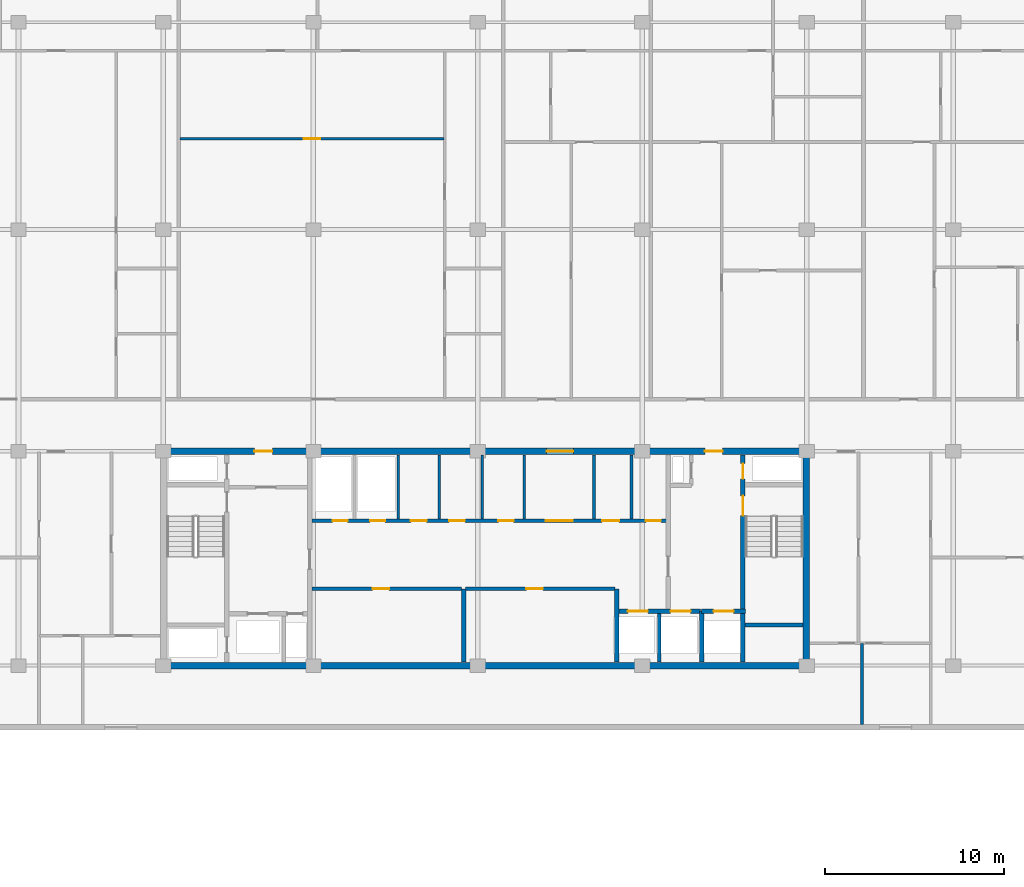
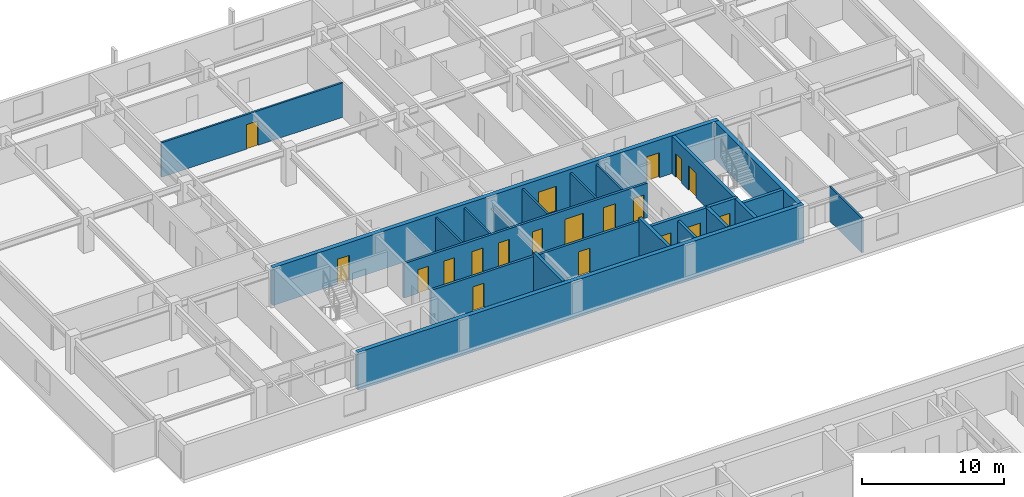
# One storey, part 12 of 22: 22 walls, 19 doors, 19 openings.
"""IFC4 building model written with IfcOpenShell, lengths in metres."""

from ifc_helpers import new_model, si_unit, direction, frame, frame_2d, origin, place, context, subcontext, project, spatial, rectangle, extrude, material, layer, layer_set, type_object, element, fill, save


model = new_model("IFC4")

# Units and contexts
model_context = context("Model", 3, precision=1e-05, world=origin(), true_north=direction((0.0, 1.0)))
body_context = subcontext(model_context, "Body", "Model", "MODEL_VIEW")
ifc_project = project(units=[si_unit("LENGTHUNIT", "METRE"), si_unit("AREAUNIT", "SQUARE_METRE"), si_unit("VOLUMEUNIT", "CUBIC_METRE"), si_unit("PLANEANGLEUNIT", "RADIAN"), si_unit("MASSUNIT", "GRAM", prefix="KILO")], contexts=[model_context])

# Site, building, storey
site_placement = place(None, origin())
site = spatial("IfcSite", under=ifc_project, at=site_placement, CompositionType="ELEMENT")
building_placement = place(site_placement, origin())
building = spatial("IfcBuilding", under=site, at=building_placement, Name="Korimba Cascade Residences", CompositionType="ELEMENT")
storey_placement = place(building_placement, frame((0.0, 0.0, 181.60009765625)))
storey = spatial("IfcBuildingStorey", under=building, at=storey_placement, Name="L52", CompositionType="ELEMENT", Elevation=181.60009765625)

# Walls
ifc_material_1 = material(Name="Concrete C65/80", Category="concrete")
ifc_layer_1 = layer(ifc_material_1, 0.35009765625)
ifc_layer_set_1 = layer_set([ifc_layer_1], Name="Concrete C65/80")
wall_type_1 = type_object("IfcWallType", Name="WAL-CORE-350", PredefinedType="SHEAR", material=ifc_layer_set_1)
wall_1_placement = place(storey_placement, frame((75.949951171875, 55.199951171875, 0.0), z_axis=(0.0, 0.0, 1.0), x_axis=(1.0, 0.0, 0.0)))
element("IfcWall", 1, at=wall_1_placement, inside=storey, type_object=wall_type_1, Name="L52 Core Shear Wall CW-L52-T1-S", PredefinedType="SHEAR", context=body_context, shape_type="SweptSolid", body=[
    extrude(rectangle(XDim=36.300048828125, YDim=0.35009765625, at=frame_2d((18.14990234375, 0.0))), origin(), (0.0, 0.0, 1.0), 3.25),
])
wall_2_placement = place(storey_placement, frame((112.074951171875, 55.375, 0.0), z_axis=(0.0, 0.0, 1.0), x_axis=(0.0, 1.0, 0.0)))
element("IfcWall", 2, at=wall_2_placement, inside=storey, type_object=wall_type_1, Name="L52 Core Shear Wall CW-L52-T1-E", PredefinedType="SHEAR", context=body_context, shape_type="SweptSolid", body=[
    extrude(rectangle(XDim=11.64990234375, YDim=0.35009765625, at=frame_2d((5.824951171875, 0.0))), origin(), (0.0, 0.0, 1.0), 3.25),
])

# Wall, openings, doors
wall_3_placement = place(storey_placement, frame((75.949951171875, 67.199951171875, 0.0), z_axis=(0.0, 0.0, 1.0), x_axis=(1.0, 0.0, 0.0)))
wall_3 = element("IfcWall", 3, at=wall_3_placement, inside=storey, type_object=wall_type_1, Name="L52 Core Shear Wall CW-L52-T1-N", PredefinedType="SHEAR", context=body_context, shape_type="SweptSolid", body=[
    extrude(rectangle(XDim=36.300048828125, YDim=0.35009765625, at=frame_2d((18.14990234375, 0.0))), origin(), (0.0, 0.0, 1.0), 3.25),
])
opening_1_placement = place(wall_3_placement, frame((5.25, 0.0, 0.0)))
opening_1 = element("IfcOpeningElement", 4, at=opening_1_placement, cuts=wall_3, Name="Opening D-FD5", PredefinedType="OPENING", context=body_context, shape_type="SweptSolid", body=[
    extrude(rectangle(XDim=1.0, YDim=2.14990234375, at=frame_2d((0.5, 1.074951171875))), frame((0.0, 0.18505859375, 0.0), z_axis=(0.0, -1.0, 0.0), x_axis=(1.0, 0.0, 0.0)), (0.0, 0.0, 1.0), 0.3701171875),
])
opening_2_placement = place(wall_3_placement, frame((21.60009765625, 0.0, 0.0)))
opening_2 = element("IfcOpeningElement", 5, at=opening_2_placement, cuts=wall_3, Name="Opening D-FD8", PredefinedType="OPENING", context=body_context, shape_type="SweptSolid", body=[
    extrude(rectangle(XDim=1.5, YDim=2.199951171875, at=frame_2d((0.75, 1.10009765625))), frame((0.0, 0.18505859375, 0.0), z_axis=(0.0, -1.0, 0.0), x_axis=(1.0, 0.0, 0.0)), (0.0, 0.0, 1.0), 0.3701171875),
])
opening_3_placement = place(wall_3_placement, frame((30.449951171875, 0.0, 0.0)))
opening_3 = element("IfcOpeningElement", 6, at=opening_3_placement, cuts=wall_3, Name="Opening D-FD5", PredefinedType="OPENING", context=body_context, shape_type="SweptSolid", body=[
    extrude(rectangle(XDim=1.0, YDim=2.14990234375, at=frame_2d((0.5, 1.074951171875))), frame((0.0, 0.18505859375, 0.0), z_axis=(0.0, -1.0, 0.0), x_axis=(1.0, 0.0, 0.0)), (0.0, 0.0, 1.0), 0.3701171875),
])
ifc_material_2 = material(Name="Fire-Rated Acoustic Timber Vestibule Door", Category="wood")
door_type_1 = type_object("IfcDoorType", Name="DR-FD90-1000", OperationType="NOTDEFINED", PredefinedType="DOOR", material=ifc_material_2)
door_1_placement = place(opening_1_placement, origin())
door_1 = element("IfcDoor", 7, at=door_1_placement, inside=storey, type_object=door_type_1, Name="L52 T1 West Core Vestibule Fire Door", OperationType="SINGLE_SWING_LEFT", OverallHeight=2.14990234375, OverallWidth=1.0, PredefinedType="DOOR", context=body_context, shape_type="SweptSolid", body=[
    extrude(rectangle(XDim=1.0, YDim=2.14990234375, at=frame_2d((0.5, 1.074951171875))), frame((0.0, 0.02490234375, 0.0), z_axis=(0.0, -1.0, 0.0), x_axis=(1.0, 0.0, 0.0)), (0.0, 0.0, 1.0), 0.050048828125),
])
fill(opening_1, door_1)
door_2_placement = place(opening_3_placement, origin())
door_2 = element("IfcDoor", 8, at=door_2_placement, inside=storey, type_object=door_type_1, Name="L52 T1 East Firefighting Vestibule Fire Door", OperationType="SINGLE_SWING_RIGHT", OverallHeight=2.14990234375, OverallWidth=1.0, PredefinedType="DOOR", context=body_context, shape_type="SweptSolid", body=[
    extrude(rectangle(XDim=1.0, YDim=2.14990234375, at=frame_2d((0.5, 1.074951171875))), frame((0.0, 0.02490234375, 0.0), z_axis=(0.0, -1.0, 0.0), x_axis=(1.0, 0.0, 0.0)), (0.0, 0.0, 1.0), 0.050048828125),
])
fill(opening_3, door_2)
ifc_material_3 = material(Name="Fire-Rated Glazed Lift Lobby Double Door", Category="glass")
door_type_2 = type_object("IfcDoorType", Name="DR-FD90-1500", OperationType="NOTDEFINED", PredefinedType="DOOR", material=ifc_material_3)
door_3_placement = place(opening_2_placement, origin())
door_3 = element("IfcDoor", 9, at=door_3_placement, inside=storey, type_object=door_type_2, Name="L52 T1 Lift Lobby Fire Door", OperationType="DOUBLE_DOOR_SINGLE_SWING", OverallHeight=2.199951171875, OverallWidth=1.5, PredefinedType="DOOR", context=body_context, shape_type="SweptSolid", body=[
    extrude(rectangle(XDim=1.5, YDim=2.199951171875, at=frame_2d((0.75, 1.10009765625))), frame((0.0, 0.02490234375, 0.0), z_axis=(0.0, -1.0, 0.0), x_axis=(1.0, 0.0, 0.0)), (0.0, 0.0, 1.0), 0.050048828125),
])
fill(opening_2, door_3)

# Walls
ifc_material_4 = material(Name="Insulated Acoustic Stud Partition", Category="gypsum")
ifc_layer_2 = layer(ifc_material_4, 0.14990234375)
ifc_layer_set_2 = layer_set([ifc_layer_2], Name="Insulated Acoustic Stud Partition")
wall_type_2 = type_object("IfcWallType", Name="WAL-PART-150", PredefinedType="PARTITIONING", material=ifc_layer_set_2)
for number, where, z_axis, x_axis, name in (
    (10, (89.25, 63.39990234375, 0.0), (0.0, 0.0, 1.0), (0.0, 1.0, 0.0), "L52 Partition Wall CW-L52-T1-PRDIV"),
    (11, (91.550048828125, 63.39990234375, 0.0), (0.0, 0.0, 1.0), (0.0, 1.0, 0.0), "L52 Partition Wall CW-L52-T1-CA1W1"),
):
    element("IfcWall", number, at=place(storey_placement, frame(where, z_axis=z_axis, x_axis=x_axis)), inside=storey, type_object=wall_type_2, Name=name, PredefinedType="PARTITIONING", context=body_context, shape_type="SweptSolid", body=[
        extrude(rectangle(XDim=3.60009765625, YDim=0.14990234375, at=frame_2d((1.800048828125, 0.0))), origin(), (0.0, 0.0, 1.0), 2.969970703125),
    ])
wall_4_placement = place(storey_placement, frame((93.949951171875, 63.39990234375, 0.0), z_axis=(0.0, 0.0, 1.0), x_axis=(0.0, 1.0, 0.0)))
element("IfcWall", 12, at=wall_4_placement, inside=storey, type_object=wall_type_2, Name="L52 Partition Wall CW-L52-T1-CA1W2", PredefinedType="PARTITIONING", context=body_context, shape_type="SweptSolid", body=[
    extrude(rectangle(XDim=3.60009765625, YDim=0.14990234375, at=frame_2d((1.800048828125, 0.0))), origin(), (0.0, 0.0, 1.0), 2.277099609375),
])
for number, where, z_axis, x_axis, name in (
    (13, (102.300048828125, 63.39990234375, 0.0), (0.0, 0.0, 1.0), (0.0, 1.0, 0.0), "L52 Partition Wall CW-L52-T1-CA1E1"),
    (14, (96.300048828125, 63.39990234375, 0.0), (0.0, 0.0, 1.0), (0.0, 1.0, 0.0), "L52 Partition Wall CW-L52-T1-THW"),
    (15, (100.199951171875, 63.39990234375, 0.0), (0.0, 0.0, 1.0), (0.0, 1.0, 0.0), "L52 Partition Wall CW-L52-T1-THE"),
):
    element("IfcWall", number, at=place(storey_placement, frame(where, z_axis=z_axis, x_axis=x_axis)), inside=storey, type_object=wall_type_2, Name=name, PredefinedType="PARTITIONING", context=body_context, shape_type="SweptSolid", body=[
        extrude(rectangle(XDim=3.60009765625, YDim=0.14990234375, at=frame_2d((1.800048828125, 0.0))), origin(), (0.0, 0.0, 1.0), 2.969970703125),
    ])
wall_5_placement = place(storey_placement, frame((115.199951171875, 51.89990234375, 0.0), z_axis=(0.0, 0.0, 1.0), x_axis=(0.0, 1.0, 0.0)))
element("IfcWall", 16, at=wall_5_placement, inside=storey, type_object=wall_type_2, Name="L52 Partition Wall WAL-L52-T1-FE-VS", PredefinedType="PARTITIONING", context=body_context, shape_type="SweptSolid", body=[
    extrude(rectangle(XDim=4.550048828125, YDim=0.14990234375, at=frame_2d((2.27490234375, 0.0))), origin(), (0.0, 0.0, 1.0), 2.969970703125),
])

# Wall, opening, door
wall_6_placement = place(storey_placement, frame((77.048095703125, 84.679931640625, 0.0), z_axis=(0.0, 0.0, 1.0), x_axis=(1.0, 0.0, 0.0)))
wall_6 = element("IfcWall", 17, at=wall_6_placement, inside=storey, type_object=wall_type_2, Name="L52 Partition Wall WAL-L52-T1-U02-CARH", PredefinedType="PARTITIONING", context=body_context, shape_type="SweptSolid", body=[
    extrude(rectangle(XDim=14.75341796875, YDim=0.14990234375, at=frame_2d((7.376708984375, 0.0))), origin(), (0.0, 0.0, 1.0), 2.969970703125),
])
opening_4_placement = place(wall_6_placement, frame((6.906494140625, 0.0, 0.0)))
opening_4 = element("IfcOpeningElement", 18, at=opening_4_placement, cuts=wall_6, Name="Opening D-IN0", PredefinedType="OPENING", context=body_context, shape_type="SweptSolid", body=[
    extrude(rectangle(XDim=0.93994140625, YDim=2.10009765625, at=frame_2d((0.469970703125, 1.050048828125))), frame((0.0, 0.0849609375, 0.0), z_axis=(0.0, -1.0, 0.0), x_axis=(1.0, 0.0, 0.0)), (0.0, 0.0, 1.0), 0.169921875),
])
ifc_material_5 = material(Name="Acoustic Timber Living Archway Door", Category="wood")
door_type_3 = type_object("IfcDoorType", Name="DR-INT-950", OperationType="NOTDEFINED", PredefinedType="DOOR", material=ifc_material_5)
door_4_placement = place(opening_4_placement, origin())
door_4 = element("IfcDoor", 19, at=door_4_placement, inside=storey, type_object=door_type_3, Name="L52-T1-U02 Wellness Clinic Foyer Door", OperationType="SINGLE_SWING_LEFT", OverallHeight=2.10009765625, OverallWidth=0.93994140625, PredefinedType="DOOR", context=body_context, shape_type="SweptSolid", body=[
    extrude(rectangle(XDim=0.93994140625, YDim=2.10009765625, at=frame_2d((0.469970703125, 1.050048828125))), frame((0.0, 0.02490234375, 0.0), z_axis=(0.0, -1.0, 0.0), x_axis=(1.0, 0.0, 0.0)), (0.0, 0.0, 1.0), 0.050048828125),
])
fill(opening_4, door_4)

ifc_material_6 = material(Name="Concrete C40/50", Category="concrete")
ifc_layer_3 = layer(ifc_material_6, 0.199951171875)
ifc_layer_set_3 = layer_set([ifc_layer_3], Name="Concrete C40/50")
wall_type_3 = type_object("IfcWallType", Name="WAL-PART-200", PredefinedType="PARTITIONING", material=ifc_layer_set_3)
wall_7_placement = place(storey_placement, frame((84.419921875, 59.5, 0.0), z_axis=(0.0, 0.0, 1.0), x_axis=(1.0, 0.0, 0.0)))
wall_7 = element("IfcWall", 20, at=wall_7_placement, inside=storey, type_object=wall_type_3, Name="L52 Partition Wall CW-L52-T1-B1RN", PredefinedType="PARTITIONING", context=body_context, shape_type="SweptSolid", body=[
    extrude(rectangle(XDim=8.360107421875, YDim=0.199951171875, at=frame_2d((4.18017578125, 0.0))), origin(), (0.0, 0.0, 1.0), 2.969970703125),
])
opening_5_placement = place(wall_7_placement, frame((3.39990234375, 0.0, 0.0)))
opening_5 = element("IfcOpeningElement", 21, at=opening_5_placement, cuts=wall_7, Name="Opening D-ST1", PredefinedType="OPENING", context=body_context, shape_type="SweptSolid", body=[
    extrude(rectangle(XDim=0.919921875, YDim=2.080078125, at=frame_2d((0.4599609375, 1.0400390625))), frame((0.0, 0.10986328125, 0.0), z_axis=(0.0, -1.0, 0.0), x_axis=(1.0, 0.0, 0.0)), (0.0, 0.0, 1.0), 0.219970703125),
])
ifc_material_7 = material(Name="Fire-Rated Core Store Door", Category="wood")
door_type_4 = type_object("IfcDoorType", Name="DR-FD60-920", OperationType="NOTDEFINED", PredefinedType="DOOR", material=ifc_material_7)
door_5_placement = place(opening_5_placement, origin())
door_5 = element("IfcDoor", 22, at=door_5_placement, inside=storey, type_object=door_type_4, Name="L52 Resident Storage Door", OperationType="SINGLE_SWING_LEFT", OverallHeight=2.080078125, OverallWidth=0.919921875, PredefinedType="DOOR", context=body_context, shape_type="SweptSolid", body=[
    extrude(rectangle(XDim=0.919921875, YDim=2.080078125, at=frame_2d((0.4599609375, 1.0400390625))), frame((0.0, 0.02490234375, 0.0), z_axis=(0.0, -1.0, 0.0), x_axis=(1.0, 0.0, 0.0)), (0.0, 0.0, 1.0), 0.050048828125),
])
fill(opening_5, door_5)

wall_8_placement = place(storey_placement, frame((93.02001953125, 59.5, 0.0), z_axis=(0.0, 0.0, 1.0), x_axis=(1.0, 0.0, 0.0)))
wall_8 = element("IfcWall", 23, at=wall_8_placement, inside=storey, type_object=wall_type_3, Name="L52 Partition Wall CW-L52-T1-B2RN", PredefinedType="PARTITIONING", context=body_context, shape_type="SweptSolid", body=[
    extrude(rectangle(XDim=8.35986328125, YDim=0.199951171875, at=frame_2d((4.179931640625, 0.0))), origin(), (0.0, 0.0, 1.0), 2.969970703125),
])
opening_6_placement = place(wall_8_placement, frame((3.39990234375, 0.0, 0.0)))
opening_6 = element("IfcOpeningElement", 24, at=opening_6_placement, cuts=wall_8, Name="Opening D-ST1", PredefinedType="OPENING", context=body_context, shape_type="SweptSolid", body=[
    extrude(rectangle(XDim=0.919921875, YDim=2.080078125, at=frame_2d((0.4599609375, 1.0400390625))), frame((0.0, 0.10986328125, 0.0), z_axis=(0.0, -1.0, 0.0), x_axis=(1.0, 0.0, 0.0)), (0.0, 0.0, 1.0), 0.219970703125),
])
door_6_placement = place(opening_6_placement, origin())
door_6 = element("IfcDoor", 25, at=door_6_placement, inside=storey, type_object=door_type_4, Name="L52 Wine Cellar Store Door", OperationType="SINGLE_SWING_RIGHT", OverallHeight=2.080078125, OverallWidth=0.919921875, PredefinedType="DOOR", context=body_context, shape_type="SweptSolid", body=[
    extrude(rectangle(XDim=0.919921875, YDim=2.080078125, at=frame_2d((0.4599609375, 1.0400390625))), frame((0.0, 0.02490234375, 0.0), z_axis=(0.0, -1.0, 0.0), x_axis=(1.0, 0.0, 0.0)), (0.0, 0.0, 1.0), 0.050048828125),
])
fill(opening_6, door_6)

# Wall
wall_9_placement = place(storey_placement, frame((103.85009765625, 55.39990234375, 0.0), z_axis=(0.0, 0.0, 1.0), x_axis=(0.0, 1.0, 0.0)))
element("IfcWall", 26, at=wall_9_placement, inside=storey, type_object=wall_type_3, Name="L52 Partition Wall CW-L52-T1-B3D1", PredefinedType="PARTITIONING", context=body_context, shape_type="SweptSolid", body=[
    extrude(rectangle(XDim=2.72021484375, YDim=0.199951171875, at=frame_2d((1.360107421875, 0.0))), origin(), (0.0, 0.0, 1.0), 2.969970703125),
])

# Wall, openings, doors
wall_10_placement = place(storey_placement, frame((84.419921875, 63.300048828125, 0.0), z_axis=(0.0, 0.0, 1.0), x_axis=(1.0, 0.0, 0.0)))
wall_10 = element("IfcWall", 27, at=wall_10_placement, inside=storey, type_object=wall_type_3, Name="L52 Partition Wall CW-L52-T1-SRVROW", PredefinedType="PARTITIONING", context=body_context, shape_type="SweptSolid", body=[
    extrude(rectangle(XDim=19.830078125, YDim=0.199951171875, at=frame_2d((9.9150390625, 0.0))), origin(), (0.0, 0.0, 1.0), 2.969970703125),
])
opening_7_placement = place(wall_10_placement, frame((1.14990234375, 0.0, 0.0)))
opening_7 = element("IfcOpeningElement", 28, at=opening_7_placement, cuts=wall_10, Name="Opening D-RS1", PredefinedType="OPENING", context=body_context, shape_type="SweptSolid", body=[
    extrude(rectangle(XDim=0.85009765625, YDim=2.050048828125, at=frame_2d((0.425048828125, 1.02490234375))), frame((0.0, 0.10986328125, 0.0), z_axis=(0.0, -1.0, 0.0), x_axis=(1.0, 0.0, 0.0)), (0.0, 0.0, 1.0), 0.219970703125),
])
opening_8_placement = place(wall_10_placement, frame((3.25, 0.0, 0.0)))
opening_8 = element("IfcOpeningElement", 29, at=opening_8_placement, cuts=wall_10, Name="Opening D-RS1", PredefinedType="OPENING", context=body_context, shape_type="SweptSolid", body=[
    extrude(rectangle(XDim=0.85009765625, YDim=2.050048828125, at=frame_2d((0.425048828125, 1.02490234375))), frame((0.0, 0.10986328125, 0.0), z_axis=(0.0, -1.0, 0.0), x_axis=(1.0, 0.0, 0.0)), (0.0, 0.0, 1.0), 0.219970703125),
])
opening_9_placement = place(wall_10_placement, frame((13.080078125, 0.0, 0.0)))
opening_9 = element("IfcOpeningElement", 30, at=opening_9_placement, cuts=wall_10, Name="Opening D-FD8", PredefinedType="OPENING", context=body_context, shape_type="SweptSolid", body=[
    extrude(rectangle(XDim=1.5, YDim=2.199951171875, at=frame_2d((0.75, 1.10009765625))), frame((0.0, 0.10986328125, 0.0), z_axis=(0.0, -1.0, 0.0), x_axis=(1.0, 0.0, 0.0)), (0.0, 0.0, 1.0), 0.219970703125),
])
opening_10_placement = place(wall_10_placement, frame((5.530029296875, 0.0, 0.0)))
opening_10 = element("IfcOpeningElement", 31, at=opening_10_placement, cuts=wall_10, Name="Opening D-IN2", PredefinedType="OPENING", context=body_context, shape_type="SweptSolid", body=[
    extrude(rectangle(XDim=0.8798828125, YDim=2.06005859375, at=frame_2d((0.43994140625, 1.030029296875))), frame((0.0, 0.10986328125, 0.0), z_axis=(0.0, -1.0, 0.0), x_axis=(1.0, 0.0, 0.0)), (0.0, 0.0, 1.0), 0.219970703125),
])
opening_11_placement = place(wall_10_placement, frame((7.679931640625, 0.0, 0.0)))
opening_11 = element("IfcOpeningElement", 32, at=opening_11_placement, cuts=wall_10, Name="Opening D-IN2", PredefinedType="OPENING", context=body_context, shape_type="SweptSolid", body=[
    extrude(rectangle(XDim=0.8798828125, YDim=2.06005859375, at=frame_2d((0.43994140625, 1.030029296875))), frame((0.0, 0.10986328125, 0.0), z_axis=(0.0, -1.0, 0.0), x_axis=(1.0, 0.0, 0.0)), (0.0, 0.0, 1.0), 0.219970703125),
])
opening_12_placement = place(wall_10_placement, frame((10.429931640625, 0.0, 0.0)))
opening_12 = element("IfcOpeningElement", 33, at=opening_12_placement, cuts=wall_10, Name="Opening D-RS1", PredefinedType="OPENING", context=body_context, shape_type="SweptSolid", body=[
    extrude(rectangle(XDim=0.85009765625, YDim=2.050048828125, at=frame_2d((0.425048828125, 1.02490234375))), frame((0.0, 0.10986328125, 0.0), z_axis=(0.0, -1.0, 0.0), x_axis=(1.0, 0.0, 0.0)), (0.0, 0.0, 1.0), 0.219970703125),
])
opening_13_placement = place(wall_10_placement, frame((16.22998046875, 0.0, 0.0)))
opening_13 = element("IfcOpeningElement", 34, at=opening_13_placement, cuts=wall_10, Name="Opening D-AC1", PredefinedType="OPENING", context=body_context, shape_type="SweptSolid", body=[
    extrude(rectangle(XDim=0.9599609375, YDim=2.10009765625, at=frame_2d((0.47998046875, 1.050048828125))), frame((0.0, 0.10986328125, 0.0), z_axis=(0.0, -1.0, 0.0), x_axis=(1.0, 0.0, 0.0)), (0.0, 0.0, 1.0), 0.219970703125),
])
opening_14_placement = place(wall_10_placement, frame((18.679931640625, 0.0, 0.0)))
opening_14 = element("IfcOpeningElement", 35, at=opening_14_placement, cuts=wall_10, Name="Opening D-BT1", PredefinedType="OPENING", context=body_context, shape_type="SweptSolid", body=[
    extrude(rectangle(XDim=0.840087890625, YDim=2.0400390625, at=frame_2d((0.419921875, 1.02001953125))), frame((0.0, 0.10986328125, 0.0), z_axis=(0.0, -1.0, 0.0), x_axis=(1.0, 0.0, 0.0)), (0.0, 0.0, 1.0), 0.219970703125),
])
ifc_material_8 = material(Name="Accessible Acoustic Timber WC Door", Category="wood")
door_type_5 = type_object("IfcDoorType", Name="DR-ACC-950", OperationType="NOTDEFINED", PredefinedType="DOOR", material=ifc_material_8)
door_7_placement = place(opening_13_placement, origin())
door_7 = element("IfcDoor", 36, at=door_7_placement, inside=storey, type_object=door_type_5, Name="L52 Accessible Staff WC Door", OperationType="SINGLE_SWING_RIGHT", OverallHeight=2.10009765625, OverallWidth=0.9599609375, PredefinedType="DOOR", context=body_context, shape_type="SweptSolid", body=[
    extrude(rectangle(XDim=0.9599609375, YDim=2.10009765625, at=frame_2d((0.47998046875, 1.050048828125))), frame((0.0, 0.02490234375, 0.0), z_axis=(0.0, -1.0, 0.0), x_axis=(1.0, 0.0, 0.0)), (0.0, 0.0, 1.0), 0.050048828125),
])
fill(opening_13, door_7)
ifc_material_9 = material(Name="Fire-Rated Steel Riser Access Door", Category="steel")
door_type_6 = type_object("IfcDoorType", Name="DR-FD60-850", OperationType="NOTDEFINED", PredefinedType="DOOR", material=ifc_material_9)
door_8_placement = place(opening_7_placement, origin())
door_8 = element("IfcDoor", 37, at=door_8_placement, inside=storey, type_object=door_type_6, Name="L52 Electrical Riser Door", OperationType="SINGLE_SWING_LEFT", OverallHeight=2.050048828125, OverallWidth=0.85009765625, PredefinedType="DOOR", context=body_context, shape_type="SweptSolid", body=[
    extrude(rectangle(XDim=0.85009765625, YDim=2.050048828125, at=frame_2d((0.425048828125, 1.02490234375))), frame((0.0, 0.02490234375, 0.0), z_axis=(0.0, -1.0, 0.0), x_axis=(1.0, 0.0, 0.0)), (0.0, 0.0, 1.0), 0.050048828125),
])
fill(opening_7, door_8)
door_9_placement = place(opening_8_placement, origin())
door_9 = element("IfcDoor", 38, at=door_9_placement, inside=storey, type_object=door_type_6, Name="L52 Plumbing Riser Door", OperationType="SINGLE_SWING_RIGHT", OverallHeight=2.050048828125, OverallWidth=0.85009765625, PredefinedType="DOOR", context=body_context, shape_type="SweptSolid", body=[
    extrude(rectangle(XDim=0.85009765625, YDim=2.050048828125, at=frame_2d((0.425048828125, 1.02490234375))), frame((0.0, 0.02490234375, 0.0), z_axis=(0.0, -1.0, 0.0), x_axis=(1.0, 0.0, 0.0)), (0.0, 0.0, 1.0), 0.050048828125),
])
fill(opening_8, door_9)
door_10_placement = place(opening_12_placement, origin())
door_10 = element("IfcDoor", 39, at=door_10_placement, inside=storey, type_object=door_type_6, Name="L52 IT Room Door", OperationType="SINGLE_SWING_LEFT", OverallHeight=2.050048828125, OverallWidth=0.85009765625, PredefinedType="DOOR", context=body_context, shape_type="SweptSolid", body=[
    extrude(rectangle(XDim=0.85009765625, YDim=2.050048828125, at=frame_2d((0.425048828125, 1.02490234375))), frame((0.0, 0.02490234375, 0.0), z_axis=(0.0, -1.0, 0.0), x_axis=(1.0, 0.0, 0.0)), (0.0, 0.0, 1.0), 0.050048828125),
])
fill(opening_12, door_10)
door_11_placement = place(opening_9_placement, origin())
door_11 = element("IfcDoor", 40, at=door_11_placement, inside=storey, type_object=door_type_2, Name="L52 Lift Lobby Foyer Archway Door", OperationType="DOUBLE_DOOR_SINGLE_SWING", OverallHeight=2.199951171875, OverallWidth=1.5, PredefinedType="DOOR", context=body_context, shape_type="SweptSolid", body=[
    extrude(rectangle(XDim=1.5, YDim=2.199951171875, at=frame_2d((0.75, 1.10009765625))), frame((0.0, 0.02490234375, 0.0), z_axis=(0.0, -1.0, 0.0), x_axis=(1.0, 0.0, 0.0)), (0.0, 0.0, 1.0), 0.050048828125),
])
fill(opening_9, door_11)
ifc_material_10 = material(Name="Moisture-Resistant Bathroom Timber Door", Category="wood")
door_type_7 = type_object("IfcDoorType", Name="DR-INT-850", OperationType="NOTDEFINED", PredefinedType="DOOR", material=ifc_material_10)
door_12_placement = place(opening_14_placement, origin())
door_12 = element("IfcDoor", 41, at=door_12_placement, inside=storey, type_object=door_type_7, Name="L52 Vending Room Door", OperationType="SINGLE_SWING_LEFT", OverallHeight=2.0400390625, OverallWidth=0.840087890625, PredefinedType="DOOR", context=body_context, shape_type="SweptSolid", body=[
    extrude(rectangle(XDim=0.840087890625, YDim=2.0400390625, at=frame_2d((0.419921875, 1.02001953125))), frame((0.0, 0.02490234375, 0.0), z_axis=(0.0, -1.0, 0.0), x_axis=(1.0, 0.0, 0.0)), (0.0, 0.0, 1.0), 0.050048828125),
])
fill(opening_14, door_12)
ifc_material_11 = material(Name="Acoustic Timber Bedroom Door", Category="wood")
door_type_8 = type_object("IfcDoorType", Name="DR-INT-880", OperationType="NOTDEFINED", PredefinedType="DOOR", material=ifc_material_11)
door_13_placement = place(opening_10_placement, origin())
door_13 = element("IfcDoor", 42, at=door_13_placement, inside=storey, type_object=door_type_8, Name="L52 Cleaners Door", OperationType="SINGLE_SWING_LEFT", OverallHeight=2.06005859375, OverallWidth=0.8798828125, PredefinedType="DOOR", context=body_context, shape_type="SweptSolid", body=[
    extrude(rectangle(XDim=0.8798828125, YDim=2.06005859375, at=frame_2d((0.43994140625, 1.030029296875))), frame((0.0, 0.02490234375, 0.0), z_axis=(0.0, -1.0, 0.0), x_axis=(1.0, 0.0, 0.0)), (0.0, 0.0, 1.0), 0.050048828125),
])
fill(opening_10, door_13)
door_14_placement = place(opening_11_placement, origin())
door_14 = element("IfcDoor", 43, at=door_14_placement, inside=storey, type_object=door_type_8, Name="L52 Pantry Door", OperationType="SINGLE_SWING_RIGHT", OverallHeight=2.06005859375, OverallWidth=0.8798828125, PredefinedType="DOOR", context=body_context, shape_type="SweptSolid", body=[
    extrude(rectangle(XDim=0.8798828125, YDim=2.06005859375, at=frame_2d((0.43994140625, 1.030029296875))), frame((0.0, 0.02490234375, 0.0), z_axis=(0.0, -1.0, 0.0), x_axis=(1.0, 0.0, 0.0)), (0.0, 0.0, 1.0), 0.050048828125),
])
fill(opening_11, door_14)

# Walls
ifc_material_12 = material(Name="Concrete C50/60", Category="concrete")
ifc_layer_4 = layer(ifc_material_12, 0.25)
ifc_layer_set_4 = layer_set([ifc_layer_4], Name="Concrete C50/60")
wall_type_4 = type_object("IfcWallType", Name="WAL-SHAFT-250", PredefinedType="SHEAR", material=ifc_layer_set_4)
for number, where, z_axis, x_axis, name in (
    (44, (92.89990234375, 55.39990234375, 0.0), (0.0, 0.0, 1.0), (0.0, 1.0, 0.0), "L52 Core Shear Wall CW-L52-T1-B12DIV"),
    (45, (101.47998046875, 55.39990234375, 0.0), (0.0, 0.0, 1.0), (0.0, 1.0, 0.0), "L52 Core Shear Wall CW-L52-T1-B23DIV"),
):
    element("IfcWall", number, at=place(storey_placement, frame(where, z_axis=z_axis, x_axis=x_axis)), inside=storey, type_object=wall_type_4, Name=name, PredefinedType="SHEAR", context=body_context, shape_type="SweptSolid", body=[
        extrude(rectangle(XDim=4.10009765625, YDim=0.25, at=frame_2d((2.050048828125, 0.0))), origin(), (0.0, 0.0, 1.0), 3.25),
    ])

# Wall, openings, doors
wall_11_placement = place(storey_placement, frame((101.550048828125, 58.25, 0.0), z_axis=(0.0, 0.0, 1.0), x_axis=(1.0, 0.0, 0.0)))
wall_11 = element("IfcWall", 46, at=wall_11_placement, inside=storey, type_object=wall_type_4, Name="L52 Core Shear Wall CW-L52-T1-B3N", PredefinedType="SHEAR", context=body_context, shape_type="SweptSolid", body=[
    extrude(rectangle(XDim=4.599853515625, YDim=0.25, at=frame_2d((2.2998046875, 0.0))), origin(), (0.0, 0.0, 1.0), 3.25),
])
opening_15_placement = place(wall_11_placement, frame((0.5400390625, 0.0, 0.0)))
opening_15 = element("IfcOpeningElement", 47, at=opening_15_placement, cuts=wall_11, Name="Opening LD-01", PredefinedType="OPENING", context=body_context, shape_type="SweptSolid", body=[
    extrude(rectangle(XDim=1.1201171875, YDim=2.1201171875, at=frame_2d((0.56005859375, 1.06005859375))), frame((0.0, 0.135009765625, 0.0), z_axis=(0.0, -1.0, 0.0), x_axis=(1.0, 0.0, 0.0)), (0.0, 0.0, 1.0), 0.27001953125),
])
opening_16_placement = place(wall_11_placement, frame((2.93994140625, 0.0, 0.0)))
opening_16 = element("IfcOpeningElement", 48, at=opening_16_placement, cuts=wall_11, Name="Opening LD-01", PredefinedType="OPENING", context=body_context, shape_type="SweptSolid", body=[
    extrude(rectangle(XDim=1.1201171875, YDim=2.1201171875, at=frame_2d((0.56005859375, 1.06005859375))), frame((0.0, 0.135009765625, 0.0), z_axis=(0.0, -1.0, 0.0), x_axis=(1.0, 0.0, 0.0)), (0.0, 0.0, 1.0), 0.27001953125),
])
ifc_material_13 = material(Name="Stainless Steel Lift Landing Sliding Door", Category="steel")
door_type_9 = type_object("IfcDoorType", Name="DR-LIFT-1100", OperationType="NOTDEFINED", PredefinedType="DOOR", material=ifc_material_13)
door_15_placement = place(opening_15_placement, origin())
door_15 = element("IfcDoor", 49, at=door_15_placement, inside=storey, type_object=door_type_9, Name="L52 Lift Landing Door PL-W7", OperationType="SLIDING_TO_LEFT", OverallHeight=2.1201171875, OverallWidth=1.1201171875, PredefinedType="DOOR", context=body_context, shape_type="SweptSolid", body=[
    extrude(rectangle(XDim=1.1201171875, YDim=2.1201171875, at=frame_2d((0.56005859375, 1.06005859375))), frame((0.0, 0.02490234375, 0.0), z_axis=(0.0, -1.0, 0.0), x_axis=(1.0, 0.0, 0.0)), (0.0, 0.0, 1.0), 0.050048828125),
])
fill(opening_15, door_15)
door_16_placement = place(opening_16_placement, origin())
door_16 = element("IfcDoor", 50, at=door_16_placement, inside=storey, type_object=door_type_9, Name="L52 Lift Landing Door PL-W8", OperationType="SLIDING_TO_LEFT", OverallHeight=2.1201171875, OverallWidth=1.1201171875, PredefinedType="DOOR", context=body_context, shape_type="SweptSolid", body=[
    extrude(rectangle(XDim=1.1201171875, YDim=2.1201171875, at=frame_2d((0.56005859375, 1.06005859375))), frame((0.0, 0.02490234375, 0.0), z_axis=(0.0, -1.0, 0.0), x_axis=(1.0, 0.0, 0.0)), (0.0, 0.0, 1.0), 0.050048828125),
])
fill(opening_16, door_16)

# Wall
wall_12_placement = place(storey_placement, frame((106.219970703125, 55.39990234375, 0.0), z_axis=(0.0, 0.0, 1.0), x_axis=(0.0, 1.0, 0.0)))
element("IfcWall", 51, at=wall_12_placement, inside=storey, type_object=wall_type_4, Name="L52 Core Shear Wall CW-L52-T1-FF2W", PredefinedType="SHEAR", context=body_context, shape_type="SweptSolid", body=[
    extrude(rectangle(XDim=2.85009765625, YDim=0.25, at=frame_2d((1.425048828125, 0.0))), origin(), (0.0, 0.0, 1.0), 3.25),
])

# Wall, opening, door
wall_13_placement = place(storey_placement, frame((106.219970703125, 58.25, 0.0), z_axis=(0.0, 0.0, 1.0), x_axis=(1.0, 0.0, 0.0)))
wall_13 = element("IfcWall", 52, at=wall_13_placement, inside=storey, type_object=wall_type_4, Name="L52 Core Shear Wall CW-L52-T1-FF2N", PredefinedType="SHEAR", context=body_context, shape_type="SweptSolid", body=[
    extrude(rectangle(XDim=2.4599609375, YDim=0.25, at=frame_2d((1.22998046875, 0.0))), origin(), (0.0, 0.0, 1.0), 3.25),
])
opening_17_placement = place(wall_13_placement, frame((0.669921875, 0.0, 0.0)))
opening_17 = element("IfcOpeningElement", 53, at=opening_17_placement, cuts=wall_13, Name="Opening LD-01", PredefinedType="OPENING", context=body_context, shape_type="SweptSolid", body=[
    extrude(rectangle(XDim=1.1201171875, YDim=2.1201171875, at=frame_2d((0.56005859375, 1.06005859375))), frame((0.0, 0.135009765625, 0.0), z_axis=(0.0, -1.0, 0.0), x_axis=(1.0, 0.0, 0.0)), (0.0, 0.0, 1.0), 0.27001953125),
])
door_17_placement = place(opening_17_placement, origin())
door_17 = element("IfcDoor", 54, at=door_17_placement, inside=storey, type_object=door_type_9, Name="L52 Firefighting Lift Landing Door FFL-W2", OperationType="SLIDING_TO_RIGHT", OverallHeight=2.1201171875, OverallWidth=1.1201171875, PredefinedType="DOOR", context=body_context, shape_type="SweptSolid", body=[
    extrude(rectangle(XDim=1.1201171875, YDim=2.1201171875, at=frame_2d((0.56005859375, 1.06005859375))), frame((0.0, 0.02490234375, 0.0), z_axis=(0.0, -1.0, 0.0), x_axis=(1.0, 0.0, 0.0)), (0.0, 0.0, 1.0), 0.050048828125),
])
fill(opening_17, door_17)

# Wall, openings, doors
wall_14_placement = place(storey_placement, frame((108.534912109375, 55.39990234375, 0.0), z_axis=(0.0, 0.0, 1.0), x_axis=(0.0, 1.0, 0.0)))
wall_14 = element("IfcWall", 55, at=wall_14_placement, inside=storey, type_object=wall_type_4, Name="L52 Core Shear Wall CW-L52-T1-STW2W", PredefinedType="SHEAR", context=body_context, shape_type="SweptSolid", body=[
    extrude(rectangle(XDim=11.60009765625, YDim=0.25, at=frame_2d((5.800048828125, 0.0))), origin(), (0.0, 0.0, 1.0), 3.25),
])
opening_18_placement = place(wall_14_placement, frame((8.199951171875, 0.0, 0.0)))
opening_18 = element("IfcOpeningElement", 56, at=opening_18_placement, cuts=wall_14, Name="Opening D-FD1", PredefinedType="OPENING", context=body_context, shape_type="SweptSolid", body=[
    extrude(rectangle(XDim=1.10009765625, YDim=2.10009765625, at=frame_2d((0.550048828125, 1.050048828125))), frame((0.0, 0.135009765625, 0.0), z_axis=(0.0, -1.0, 0.0), x_axis=(1.0, 0.0, 0.0)), (0.0, 0.0, 1.0), 0.27001953125),
])
opening_19_placement = place(wall_14_placement, frame((10.25, 0.0, 0.0)))
opening_19 = element("IfcOpeningElement", 57, at=opening_19_placement, cuts=wall_14, Name="Opening D-RS1", PredefinedType="OPENING", context=body_context, shape_type="SweptSolid", body=[
    extrude(rectangle(XDim=0.85009765625, YDim=2.050048828125, at=frame_2d((0.425048828125, 1.02490234375))), frame((0.0, 0.135009765625, 0.0), z_axis=(0.0, -1.0, 0.0), x_axis=(1.0, 0.0, 0.0)), (0.0, 0.0, 1.0), 0.27001953125),
])
ifc_material_14 = material(Name="Fire-Rated Steel Core Door", Category="steel")
door_type_10 = type_object("IfcDoorType", Name="DR-FD120-1100", OperationType="NOTDEFINED", PredefinedType="DOOR", material=ifc_material_14)
door_18_placement = place(opening_18_placement, origin())
door_18 = element("IfcDoor", 58, at=door_18_placement, inside=storey, type_object=door_type_10, Name="L52 Fire Stair ST-W2 Door", OperationType="SINGLE_SWING_RIGHT", OverallHeight=2.10009765625, OverallWidth=1.10009765625, PredefinedType="DOOR", context=body_context, shape_type="SweptSolid", body=[
    extrude(rectangle(XDim=1.10009765625, YDim=2.10009765625, at=frame_2d((0.550048828125, 1.050048828125))), frame((0.0, 0.02490234375, 0.0), z_axis=(0.0, -1.0, 0.0), x_axis=(1.0, 0.0, 0.0)), (0.0, 0.0, 1.0), 0.050048828125),
])
fill(opening_18, door_18)
door_19_placement = place(opening_19_placement, origin())
door_19 = element("IfcDoor", 59, at=door_19_placement, inside=storey, type_object=door_type_6, Name="L52 East Riser Door", OperationType="SINGLE_SWING_LEFT", OverallHeight=2.050048828125, OverallWidth=0.85009765625, PredefinedType="DOOR", context=body_context, shape_type="SweptSolid", body=[
    extrude(rectangle(XDim=0.85009765625, YDim=2.050048828125, at=frame_2d((0.425048828125, 1.02490234375))), frame((0.0, 0.02490234375, 0.0), z_axis=(0.0, -1.0, 0.0), x_axis=(1.0, 0.0, 0.0)), (0.0, 0.0, 1.0), 0.050048828125),
])
fill(opening_19, door_19)

# Wall
wall_15_placement = place(storey_placement, frame((108.659912109375, 57.47509765625, 0.0), z_axis=(0.0, 0.0, 1.0), x_axis=(1.0, 0.0, 0.0)))
element("IfcWall", 60, at=wall_15_placement, inside=storey, type_object=wall_type_4, Name="L52 Core Shear Wall CW-L52-T1-STW2S", PredefinedType="SHEAR", context=body_context, shape_type="SweptSolid", body=[
    extrude(rectangle(XDim=3.239990234375, YDim=0.25, at=frame_2d((1.6201171875, 0.0))), origin(), (0.0, 0.0, 1.0), 3.25),
])

save(model, "model.ifc")
